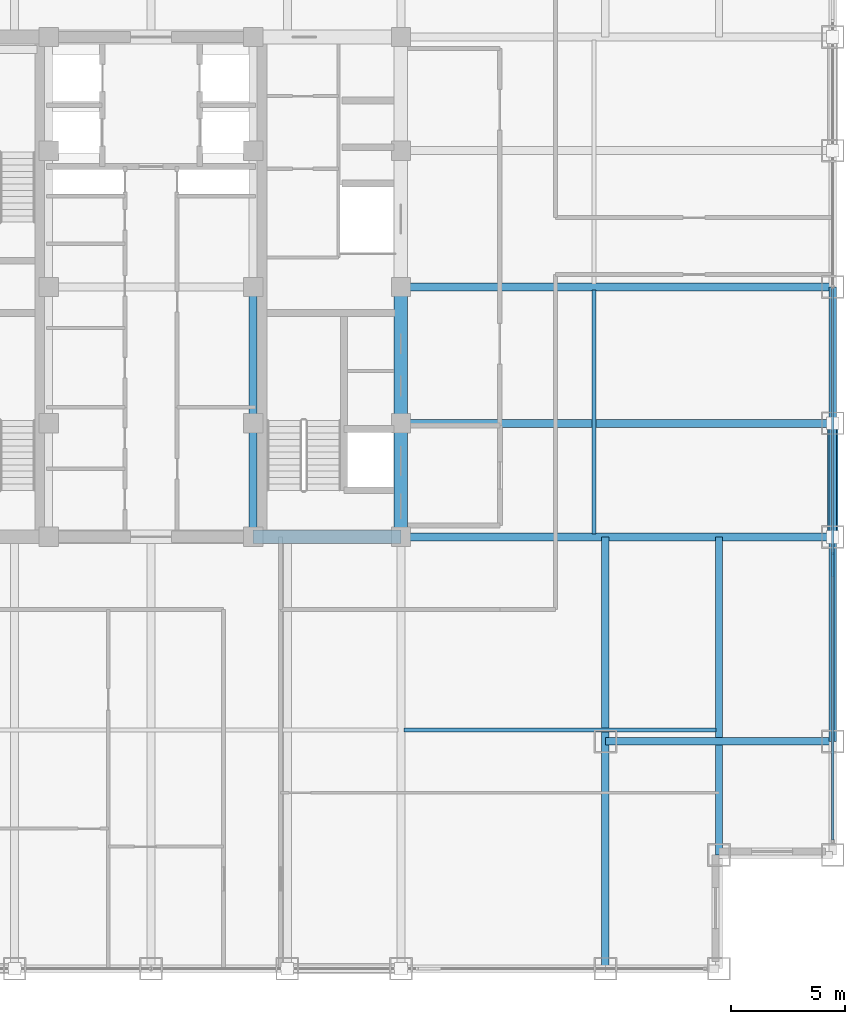
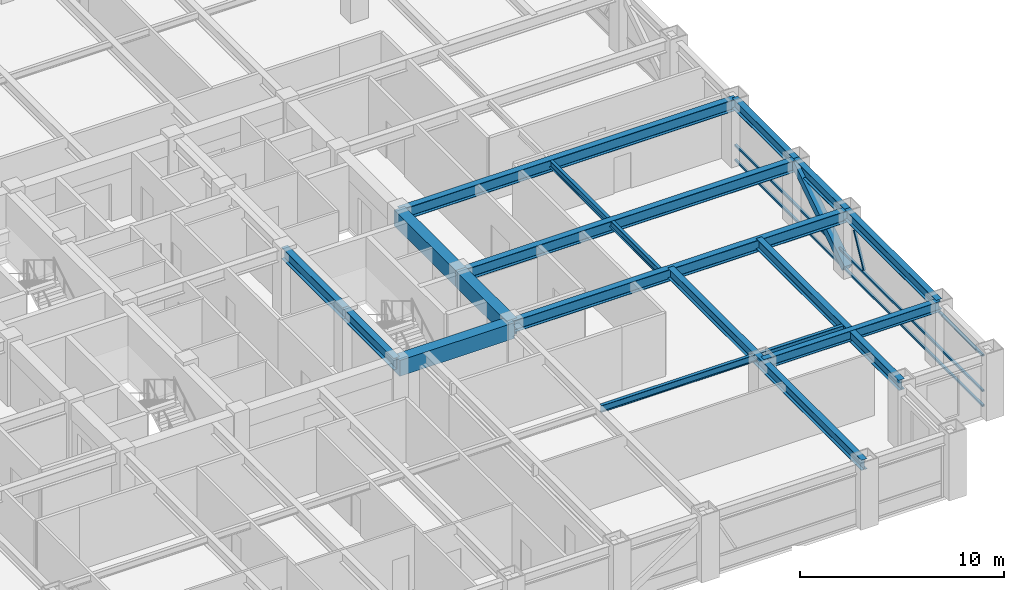
# One storey, part 9 of 24: 16 beams, 5 members, 1 element without a shape of its own.
"""IFC4 building model written with IfcOpenShell, lengths in metres."""

from ifc_helpers import new_model, si_unit, direction, frame, origin, origin_2d, place, context, subcontext, project, spatial, rectangle, hollow_rectangle, i_section, extrude, source, transform, mapped, material, material_profile, profile_set, type_object, element, aggregate, save


model = new_model("IFC4")

# Units and contexts
model_context = context("Model", 3, precision=1e-05, world=origin(), true_north=direction((0.0, 1.0)))
body_context = subcontext(model_context, "Body", "Model", "MODEL_VIEW")
ifc_project = project(units=[si_unit("LENGTHUNIT", "METRE"), si_unit("AREAUNIT", "SQUARE_METRE"), si_unit("VOLUMEUNIT", "CUBIC_METRE"), si_unit("PLANEANGLEUNIT", "RADIAN"), si_unit("MASSUNIT", "GRAM", prefix="KILO")], contexts=[model_context])

# Site, building, storey
site_placement = place(None, origin())
site = spatial("IfcSite", under=ifc_project, at=site_placement, CompositionType="ELEMENT")
building_placement = place(site_placement, origin())
building = spatial("IfcBuilding", under=site, at=building_placement, Name="Khorayat Bourse Tower", CompositionType="ELEMENT")
storey_placement = place(building_placement, frame((0.0, 0.0, 219.10009765625)))
storey = spatial("IfcBuildingStorey", under=building, at=storey_placement, Name="L51", CompositionType="ELEMENT", Elevation=219.10009765625)

# Beams
ifc_material_1 = material(Name="Steel ASTM A992 Grade 50", Category="steel")
ifc_material_profile_1 = material_profile(ifc_material_1, i_section(OverallWidth=0.35498046875, OverallDepth=0.695068359375, WebThickness=0.015380859375, FlangeThickness=0.02490234375, FilletRadius=0.01806640625, at=origin_2d()), Name="W690X217")
ifc_profile_set_1 = profile_set([ifc_material_profile_1], Name="Steel ASTM A992 Grade 50")
beam_type_1 = type_object("IfcBeamType", Name="BM-GIRD-690", PredefinedType="BEAM", material=ifc_profile_set_1)
shared_shape_1 = source(origin(), body_context, "Body", "SweptSolid", [
    extrude(i_section(OverallWidth=0.35498046875, OverallDepth=0.695068359375, WebThickness=0.015380859375, FlangeThickness=0.02490234375, FilletRadius=0.01806640625, at=origin_2d()), origin(), (0.0, 0.0, 1.0), 5.0),
])
beam_1_placement = place(storey_placement, frame((4.5, -11.0, 3.432373046875), z_axis=(0.0, 1.0, 0.0), x_axis=(-1.0, 0.0, 0.0)))
element("IfcBeam", 1, at=beam_1_placement, inside=storey, type_object=beam_type_1, Name="L51 BM-GIRD-690 BM-L51-CRX-09", PredefinedType="BEAM", context=body_context, shape_type="MappedRepresentation", body=[
    mapped(shared_shape_1, transform((0.0, 0.0, 0.0), scale=1.0)),
])
shared_shape_2 = source(origin(), body_context, "Body", "SweptSolid", [
    extrude(i_section(OverallWidth=0.35498046875, OverallDepth=0.695068359375, WebThickness=0.015380859375, FlangeThickness=0.02490234375, FilletRadius=0.01806640625, at=origin_2d()), origin(), (0.0, 0.0, 1.0), 6.0),
])
beam_2_placement = place(storey_placement, frame((4.5, -6.0, 3.432373046875), z_axis=(0.0, 1.0, 0.0), x_axis=(-1.0, 0.0, 0.0)))
element("IfcBeam", 2, at=beam_2_placement, inside=storey, type_object=beam_type_1, Name="L51 BM-GIRD-690 BM-L51-CRX-10", PredefinedType="BEAM", context=body_context, shape_type="MappedRepresentation", body=[
    mapped(shared_shape_2, transform((0.0, 0.0, 0.0), scale=1.0)),
])
ifc_material_profile_2 = material_profile(ifc_material_1, i_section(OverallWidth=0.324951171875, OverallDepth=0.615966796875, WebThickness=0.013916015625, FlangeThickness=0.021484375, FilletRadius=0.01611328125, at=origin_2d()), Name="W610X174")
ifc_profile_set_2 = profile_set([ifc_material_profile_2], Name="Steel ASTM A992 Grade 50")
beam_type_2 = type_object("IfcBeamType", Name="BM-GIRD-610", PredefinedType="BEAM", material=ifc_profile_set_2)
shared_shape_3 = source(origin(), body_context, "Body", "SweptSolid", [
    extrude(i_section(OverallWidth=0.324951171875, OverallDepth=0.615966796875, WebThickness=0.013916015625, FlangeThickness=0.021484375, FilletRadius=0.01611328125, at=origin_2d()), origin(), (0.0, 0.0, 1.0), 19.0),
])
beam_3_placement = place(storey_placement, frame((20.0, -30.0, 3.471923828125), z_axis=(0.0, 1.0, 0.0), x_axis=(-1.0, 0.0, 0.0)))
element("IfcBeam", 3, at=beam_3_placement, inside=storey, type_object=beam_type_2, Name="L51 BM-GIRD-610 BM-L51-CNRY-086", PredefinedType="BEAM", context=body_context, shape_type="MappedRepresentation", body=[
    mapped(shared_shape_3, transform((0.0, 0.0, 0.0), scale=1.0)),
])
shared_shape_4 = source(origin(), body_context, "Body", "SweptSolid", [
    extrude(i_section(OverallWidth=0.324951171875, OverallDepth=0.615966796875, WebThickness=0.013916015625, FlangeThickness=0.021484375, FilletRadius=0.01611328125, at=origin_2d()), origin(), (0.0, 0.0, 1.0), 10.0),
])
beam_4_placement = place(storey_placement, frame((20.0, -20.0, 3.471923828125), z_axis=(1.0, 0.0, 0.0), x_axis=(0.0, 1.0, 0.0)))
element("IfcBeam", 4, at=beam_4_placement, inside=storey, type_object=beam_type_2, Name="L51 BM-GIRD-610 BM-L51-CNRX-092", PredefinedType="BEAM", context=body_context, shape_type="MappedRepresentation", body=[
    mapped(shared_shape_4, transform((0.0, 0.0, 0.0), scale=1.0)),
])
ifc_material_profile_3 = material_profile(ifc_material_1, i_section(OverallWidth=0.180908203125, OverallDepth=0.4169921875, WebThickness=0.010986328125, FlangeThickness=0.018310546875, FilletRadius=0.011962890625, at=origin_2d()), Name="W410X85")
ifc_profile_set_3 = profile_set([ifc_material_profile_3], Name="Steel ASTM A992 Grade 50")
beam_type_3 = type_object("IfcBeamType", Name="BM-JOIST-410", PredefinedType="JOIST", material=ifc_profile_set_3)
shared_shape_5 = source(origin(), body_context, "Body", "SweptSolid", [
    extrude(i_section(OverallWidth=0.180908203125, OverallDepth=0.4169921875, WebThickness=0.010986328125, FlangeThickness=0.018310546875, FilletRadius=0.011962890625, at=origin_2d()), origin(), (0.0, 0.0, 1.0), 10.740234375),
])
beam_5_placement = place(storey_placement, frame((19.5, -10.8701171875, 3.5712890625), z_axis=(0.0, 1.0, 0.0), x_axis=(-1.0, 0.0, 0.0)))
element("IfcBeam", 5, at=beam_5_placement, inside=storey, type_object=beam_type_3, Name="L51 BM-JOIST-410 BM-L51-JSTY-104", PredefinedType="JOIST", context=body_context, shape_type="MappedRepresentation", body=[
    mapped(shared_shape_5, transform((0.0, 0.0, 0.0), scale=1.0)),
])
ifc_material_profile_4 = material_profile(ifc_material_1, i_section(OverallWidth=0.324951171875, OverallDepth=0.615966796875, WebThickness=0.013916015625, FlangeThickness=0.021484375, FilletRadius=0.01611328125, at=origin_2d()), Name="W610X174")
ifc_profile_set_4 = profile_set([ifc_material_profile_4], Name="Steel ASTM A992 Grade 50")
beam_type_4 = type_object("IfcBeamType", Name="BM-SPAN-610", PredefinedType="SPANDREL", material=ifc_profile_set_4)
shared_shape_6 = source(origin(), body_context, "Body", "SweptSolid", [
    extrude(i_section(OverallWidth=0.324951171875, OverallDepth=0.615966796875, WebThickness=0.013916015625, FlangeThickness=0.021484375, FilletRadius=0.01611328125, at=origin_2d()), origin(), (0.0, 0.0, 1.0), 9.0),
])
beam_6_placement = place(storey_placement, frame((30.0, -20.0, 3.471923828125), z_axis=(0.0, 1.0, 0.0), x_axis=(-1.0, 0.0, 0.0)))
element("IfcBeam", 6, at=beam_6_placement, inside=storey, type_object=beam_type_4, Name="L51 BM-SPAN-610 BM-L51-SPN-035", PredefinedType="SPANDREL", context=body_context, shape_type="MappedRepresentation", body=[
    mapped(shared_shape_6, transform((0.0, 0.0, 0.0), scale=1.0)),
])
shared_shape_7 = source(origin(), body_context, "Body", "SweptSolid", [
    extrude(i_section(OverallWidth=0.324951171875, OverallDepth=0.615966796875, WebThickness=0.013916015625, FlangeThickness=0.021484375, FilletRadius=0.01611328125, at=origin_2d()), origin(), (0.0, 0.0, 1.0), 5.0),
])
beam_7_placement = place(storey_placement, frame((30.0, -11.0, 3.471923828125), z_axis=(0.0, 1.0, 0.0), x_axis=(-1.0, 0.0, 0.0)))
element("IfcBeam", 7, at=beam_7_placement, inside=storey, type_object=beam_type_4, Name="L51 BM-SPAN-610 BM-L51-SPN-036", PredefinedType="SPANDREL", context=body_context, shape_type="MappedRepresentation", body=[
    mapped(shared_shape_7, transform((0.0, 0.0, 0.0), scale=1.0)),
])
shared_shape_8 = source(origin(), body_context, "Body", "SweptSolid", [
    extrude(i_section(OverallWidth=0.324951171875, OverallDepth=0.615966796875, WebThickness=0.013916015625, FlangeThickness=0.021484375, FilletRadius=0.01611328125, at=origin_2d()), origin(), (0.0, 0.0, 1.0), 6.0),
])
beam_8_placement = place(storey_placement, frame((30.0, -6.0, 3.471923828125), z_axis=(0.0, 1.0, 0.0), x_axis=(-1.0, 0.0, 0.0)))
element("IfcBeam", 8, at=beam_8_placement, inside=storey, type_object=beam_type_4, Name="L51 BM-SPAN-610 BM-L51-SPN-037", PredefinedType="SPANDREL", context=body_context, shape_type="MappedRepresentation", body=[
    mapped(shared_shape_8, transform((0.0, 0.0, 0.0), scale=1.0)),
])
ifc_material_2 = material(Name="Concrete C60/75", Category="concrete")
ifc_material_profile_5 = material_profile(ifc_material_2, rectangle(XDim=0.60009765625, YDim=0.949951171875, at=origin_2d()), Name="RC 600x950")
ifc_profile_set_5 = profile_set([ifc_material_profile_5], Name="Concrete C60/75")
beam_type_5 = type_object("IfcBeamType", Name="BM-COUP-950", PredefinedType="BEAM", material=ifc_profile_set_5)
shared_shape_9 = source(origin(), body_context, "Body", "SweptSolid", [
    extrude(rectangle(XDim=0.60009765625, YDim=0.949951171875, at=origin_2d()), origin(), (0.0, 0.0, 1.0), 5.0),
])
beam_9_placement = place(storey_placement, frame((11.0, -11.0, 3.304931640625), z_axis=(0.0, 1.0, 0.0), x_axis=(-1.0, 0.0, 0.0)))
element("IfcBeam", 9, at=beam_9_placement, inside=storey, type_object=beam_type_5, Name="L51 BM-COUP-950 BM-L51-CRX-13", PredefinedType="BEAM", context=body_context, shape_type="MappedRepresentation", body=[
    mapped(shared_shape_9, transform((0.0, 0.0, 0.0), scale=1.0)),
])
shared_shape_10 = source(origin(), body_context, "Body", "SweptSolid", [
    extrude(rectangle(XDim=0.60009765625, YDim=0.949951171875, at=origin_2d()), origin(), (0.0, 0.0, 1.0), 6.0),
])
beam_10_placement = place(storey_placement, frame((11.0, -6.0, 3.304931640625), z_axis=(0.0, 1.0, 0.0), x_axis=(-1.0, 0.0, 0.0)))
element("IfcBeam", 10, at=beam_10_placement, inside=storey, type_object=beam_type_5, Name="L51 BM-COUP-950 BM-L51-CRX-14", PredefinedType="BEAM", context=body_context, shape_type="MappedRepresentation", body=[
    mapped(shared_shape_10, transform((0.0, 0.0, 0.0), scale=1.0)),
])
shared_shape_11 = source(origin(), body_context, "Body", "SweptSolid", [
    extrude(rectangle(XDim=0.60009765625, YDim=0.949951171875, at=origin_2d()), origin(), (0.0, 0.0, 1.0), 6.5),
])
beam_11_placement = place(storey_placement, frame((4.5, -11.0, 3.304931640625), z_axis=(1.0, 0.0, 0.0), x_axis=(0.0, 1.0, 0.0)))
element("IfcBeam", 11, at=beam_11_placement, inside=storey, type_object=beam_type_5, Name="L51 BM-COUP-950 BM-L51-CRY-19", PredefinedType="BEAM", context=body_context, shape_type="MappedRepresentation", body=[
    mapped(shared_shape_11, transform((0.0, 0.0, 0.0), scale=1.0)),
])
shared_shape_12 = source(origin(), body_context, "Body", "SweptSolid", [
    extrude(i_section(OverallWidth=0.35498046875, OverallDepth=0.695068359375, WebThickness=0.015380859375, FlangeThickness=0.02490234375, FilletRadius=0.01806640625, at=origin_2d()), origin(), (0.0, 0.0, 1.0), 19.0),
])
for number, where, z_axis, x_axis, name in (
    (12, (11.0, -11.0, 3.432373046875), (1.0, 0.0, 0.0), (0.0, 1.0, 0.0), "L51 BM-GIRD-690 BM-L51-RADX-074"),
    (13, (11.0, -6.0, 3.432373046875), (1.0, 0.0, 0.0), (0.0, 1.0, 0.0), "L51 BM-GIRD-690 BM-L51-RADX-076"),
    (14, (11.0, 0.0, 3.432373046875), (1.0, 0.0, 0.0), (0.0, 1.0, 0.0), "L51 BM-GIRD-690 BM-L51-RADX-078"),
):
    element("IfcBeam", number, at=place(storey_placement, frame(where, z_axis=z_axis, x_axis=x_axis)), inside=storey, type_object=beam_type_1, Name=name, PredefinedType="BEAM", context=body_context, shape_type="MappedRepresentation", body=[
        mapped(shared_shape_12, transform((0.0, 0.0, 0.0), scale=1.0)),
    ])
shared_shape_13 = source(origin(), body_context, "Body", "SweptSolid", [
    extrude(i_section(OverallWidth=0.324951171875, OverallDepth=0.615966796875, WebThickness=0.013916015625, FlangeThickness=0.021484375, FilletRadius=0.01611328125, at=origin_2d()), origin(), (0.0, 0.0, 1.0), 14.0),
])
beam_12_placement = place(storey_placement, frame((25.0, -25.0, 3.471923828125), z_axis=(0.0, 1.0, 0.0), x_axis=(-1.0, 0.0, 0.0)))
element("IfcBeam", 15, at=beam_12_placement, inside=storey, type_object=beam_type_2, Name="L51 BM-GIRD-610 BM-L51-CNRY-090", PredefinedType="BEAM", context=body_context, shape_type="MappedRepresentation", body=[
    mapped(shared_shape_13, transform((0.0, 0.0, 0.0), scale=1.0)),
])
shared_shape_14 = source(origin(), body_context, "Body", "SweptSolid", [
    extrude(i_section(OverallWidth=0.180908203125, OverallDepth=0.4169921875, WebThickness=0.010986328125, FlangeThickness=0.018310546875, FilletRadius=0.011962890625, at=origin_2d()), origin(), (0.0, 0.0, 1.0), 13.740234375),
])
beam_13_placement = place(storey_placement, frame((11.1298828125, -19.5, 3.5712890625), z_axis=(1.0, 0.0, 0.0), x_axis=(0.0, 1.0, 0.0)))
element("IfcBeam", 16, at=beam_13_placement, inside=storey, type_object=beam_type_3, Name="L51 BM-JOIST-410 BM-L51-JSTX-098", PredefinedType="JOIST", context=body_context, shape_type="MappedRepresentation", body=[
    mapped(shared_shape_14, transform((0.0, 0.0, 0.0), scale=1.0)),
])

# Member
ifc_material_3 = material(Name="Steel EN 10025-4 S460M", Category="steel")
ifc_material_profile_6 = material_profile(ifc_material_3, hollow_rectangle(XDim=0.449951171875, YDim=0.449951171875, WallThickness=0.02490234375, at=origin_2d()), Name="HSS 450x450x25")
ifc_profile_set_6 = profile_set([ifc_material_profile_6], Name="Steel EN 10025-4 S460M")
member_type_1 = type_object("IfcMemberType", Name="MBR-TUBE-450", PredefinedType="BRACE", material=ifc_profile_set_6)
shared_shape_15 = source(origin(), body_context, "Body", "SweptSolid", [
    extrude(hollow_rectangle(XDim=0.449951171875, YDim=0.449951171875, WallThickness=0.02490234375, at=origin_2d()), origin(), (0.0, 0.0, 1.0), 5.979736328125),
])
member_1_placement = place(storey_placement, frame((30.0, -11.0, 0.25), z_axis=(0.0, 0.836160261256, 0.548485202623), x_axis=(-1.0, 0.0, 0.0)))
element("IfcMember", 17, at=member_1_placement, inside=storey, type_object=member_type_1, Name="L51 Perimeter Tube Brace 07", PredefinedType="BRACE", context=body_context, shape_type="MappedRepresentation", body=[
    mapped(shared_shape_15, transform((0.0, 0.0, 0.0), scale=1.0)),
])

# Curtain wall, members
ifc_material_4 = material(Name="Aluminium EN AW-6063 T6", Category="aluminium")
curtain_wall_type = type_object("IfcCurtainWallType", Name="CW-SYS-03", PredefinedType="NOTDEFINED", material=ifc_material_4)
curtain_wall_placement = place(storey_placement, origin())
curtain_wall = element("IfcCurtainWall", 18, at=curtain_wall_placement, inside=storey, type_object=curtain_wall_type, Name="L51 Curtain Wall CW-L51-E1", PredefinedType="NOTDEFINED")
ifc_material_profile_7 = material_profile(ifc_material_4, hollow_rectangle(XDim=0.1201171875, YDim=0.1201171875, WallThickness=0.0048828125, at=origin_2d()), Name="ALU 120x120x5")
ifc_profile_set_7 = profile_set([ifc_material_profile_7], Name="Aluminium EN AW-6063 T6")
member_type_2 = type_object("IfcMemberType", Name="CWM-DIAG-120", PredefinedType="MULLION", material=ifc_profile_set_7)
shared_shape_16 = source(origin(), body_context, "Body", "SweptSolid", [
    extrude(hollow_rectangle(XDim=0.1201171875, YDim=0.1201171875, WallThickness=0.0048828125, at=origin_2d()), origin(), (0.0, 0.0, 1.0), 2.079345703125),
])
member_2_placement = place(storey_placement, frame((30.0, -12.67919921875, 1.08984375), z_axis=(0.0, 0.465760949701, 0.884910581773), x_axis=(-1.0, 0.0, 0.0)))
member_2 = element("IfcMember", 19, at=member_2_placement, type_object=member_type_2, Name="CW-L51-E1 Faceted Diagonal Mullion 1", PredefinedType="MULLION", context=body_context, shape_type="MappedRepresentation", body=[
    mapped(shared_shape_16, transform((0.0, 0.0, 0.0), scale=1.0)),
])
ifc_material_profile_8 = material_profile(ifc_material_4, hollow_rectangle(XDim=0.1201171875, YDim=0.1201171875, WallThickness=0.0048828125, at=origin_2d()), Name="ALU 120x120x5")
ifc_profile_set_8 = profile_set([ifc_material_profile_8], Name="Aluminium EN AW-6063 T6")
member_type_3 = type_object("IfcMemberType", Name="CWT-HORZ-120", PredefinedType="USERDEFINED", material=ifc_profile_set_8)
shared_shape_17 = source(origin(), body_context, "Body", "SweptSolid", [
    extrude(hollow_rectangle(XDim=0.1201171875, YDim=0.1201171875, WallThickness=0.0048828125, at=origin_2d()), origin(), (0.0, 0.0, 1.0), 24.27001953125),
])
member_3_placement = place(storey_placement, frame((30.0, -24.330078125, 0.059814453125), z_axis=(0.0, 1.0, 0.0), x_axis=(-1.0, 0.0, 0.0)))
member_3 = element("IfcMember", 20, at=member_3_placement, type_object=member_type_3, Name="CW-L51-E1 Horizontal Transom 1-1", ObjectType="TRANSOM", PredefinedType="USERDEFINED", context=body_context, shape_type="MappedRepresentation", body=[
    mapped(shared_shape_17, transform((0.0, 0.0, 0.0), scale=1.0)),
])
member_4_placement = place(storey_placement, frame((30.0, -24.330078125, 0.949951171875), z_axis=(0.0, 1.0, 0.0), x_axis=(-1.0, 0.0, 0.0)))
member_4 = element("IfcMember", 21, at=member_4_placement, type_object=member_type_3, Name="CW-L51-E1 Horizontal Transom 1-2", ObjectType="TRANSOM", PredefinedType="USERDEFINED", context=body_context, shape_type="MappedRepresentation", body=[
    mapped(shared_shape_17, transform((0.0, 0.0, 0.0), scale=1.0)),
])
member_5_placement = place(storey_placement, frame((30.0, -24.330078125, 3.06982421875), z_axis=(0.0, 1.0, 0.0), x_axis=(-1.0, 0.0, 0.0)))
member_5 = element("IfcMember", 22, at=member_5_placement, type_object=member_type_3, Name="CW-L51-E1 Horizontal Transom 1-3", ObjectType="TRANSOM", PredefinedType="USERDEFINED", context=body_context, shape_type="MappedRepresentation", body=[
    mapped(shared_shape_17, transform((0.0, 0.0, 0.0), scale=1.0)),
])
aggregate(curtain_wall, [member_3, member_4, member_5, member_2])

save(model, "model.ifc")
